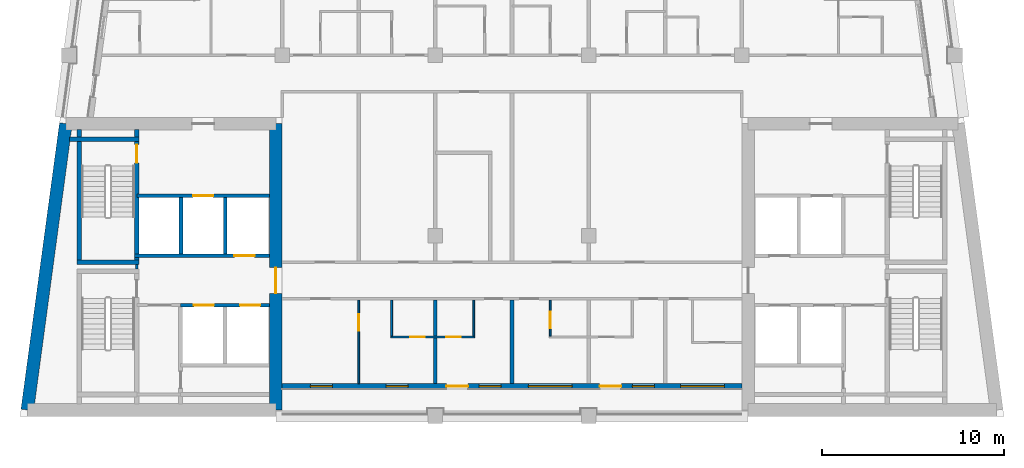
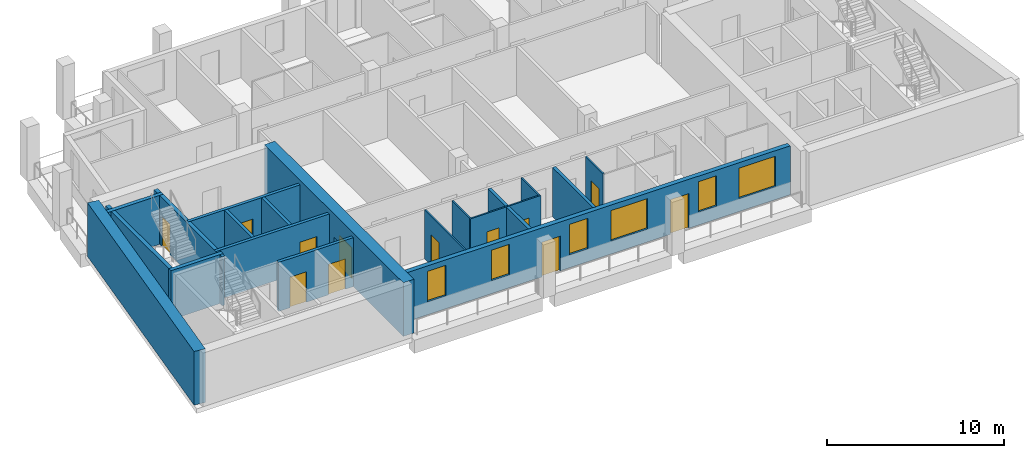
# One storey, part 2 of 9: 20 walls, 12 doors, 6 windows, 18 openings.
"""IFC4 building model written with IfcOpenShell, lengths in metres."""

from ifc_helpers import new_model, si_unit, direction, frame, frame_2d, origin, place, context, subcontext, project, spatial, rectangle, extrude, material, layer, layer_set, type_object, element, fill, save


model = new_model("IFC4")

# Units and contexts
model_context = context("Model", 3, precision=1e-05, world=origin(), true_north=direction((0.0, 1.0)))
body_context = subcontext(model_context, "Body", "Model", "MODEL_VIEW")
ifc_project = project(units=[si_unit("LENGTHUNIT", "METRE"), si_unit("AREAUNIT", "SQUARE_METRE"), si_unit("VOLUMEUNIT", "CUBIC_METRE"), si_unit("PLANEANGLEUNIT", "RADIAN"), si_unit("MASSUNIT", "GRAM", prefix="KILO")], contexts=[model_context])

# Site, building, storey
site_placement = place(None, origin())
site = spatial("IfcSite", under=ifc_project, at=site_placement, CompositionType="ELEMENT")
building_placement = place(site_placement, origin())
building = spatial("IfcBuilding", under=site, at=building_placement, Name="Candeia Pilgrim Tower and Theatre", CompositionType="ELEMENT")
storey_placement = place(building_placement, frame((0.0, 0.0, 296.0)))
storey = spatial("IfcBuildingStorey", under=building, at=storey_placement, Name="L72", CompositionType="ELEMENT", Elevation=296.0)

# Wall, opening, door
ifc_material_1 = material(Name="Concrete C40/50", Category="concrete")
ifc_layer_1 = layer(ifc_material_1, 0.699951171875)
ifc_layer_set_1 = layer_set([ifc_layer_1], Name="Core wall 700 C40/50")
wall_type_1 = type_object("IfcWallType", Name="Core wall 700 C40/50", PredefinedType="SHEAR", material=ifc_layer_set_1)
wall_1_placement = place(storey_placement, frame((100.449951171875, 132.050048828125, 0.0), z_axis=(0.0, 0.0, 1.0), x_axis=(0.0, -1.0, 0.0)))
wall_1 = element("IfcWall", 1, at=wall_1_placement, inside=storey, type_object=wall_type_1, Name="Core wall W2", PredefinedType="SHEAR", context=body_context, shape_type="SweptSolid", body=[
    extrude(rectangle(XDim=15.699951171875, YDim=0.699951171875, at=frame_2d((7.85009765625, 0.0))), origin(), (0.0, 0.0, 1.0), 3.699951171875),
])
opening_1_placement = place(wall_1_placement, frame((7.89990234375, 0.0, 0.0)))
opening_1 = element("IfcOpeningElement", 2, at=opening_1_placement, cuts=wall_1, Name="Opening L72-D045", PredefinedType="OPENING", context=body_context, shape_type="SweptSolid", body=[
    extrude(rectangle(XDim=1.39990234375, YDim=2.10009765625, at=frame_2d((0.699951171875, 1.050048828125))), frame((0.0, 0.35986328125, 0.0), z_axis=(0.0, -1.0, 0.0), x_axis=(1.0, 0.0, 0.0)), (0.0, 0.0, 1.0), 0.719970703125),
])
ifc_material_2 = material(Name="Steel fire door set", Category="steel")
door_type_1 = type_object("IfcDoorType", Name="D-1400-FD60", OperationType="NOTDEFINED", PredefinedType="DOOR", material=ifc_material_2)
door_1_placement = place(opening_1_placement, origin())
door_1 = element("IfcDoor", 3, at=door_1_placement, inside=storey, type_object=door_type_1, Name="Door L72-D045", OperationType="SINGLE_SWING_LEFT", OverallHeight=2.10009765625, OverallWidth=1.39990234375, PredefinedType="DOOR", context=body_context, shape_type="SweptSolid", body=[
    extrude(rectangle(XDim=1.39990234375, YDim=2.10009765625, at=frame_2d((0.699951171875, 1.050048828125))), frame((0.0, 0.02490234375, 0.0), z_axis=(0.0, -1.0, 0.0), x_axis=(1.0, 0.0, 0.0)), (0.0, 0.0, 1.0), 0.050048828125),
])
fill(opening_1, door_1)

# Wall
wall_2_placement = place(storey_placement, frame((86.8232421875, 116.35009765625, 0.0), z_axis=(0.0, 0.0, 1.0), x_axis=(0.133416378607, 0.99106007382, 0.0)))
element("IfcWall", 4, at=wall_2_placement, inside=storey, type_object=wall_type_1, Name="Core wall W4", PredefinedType="SHEAR", context=body_context, shape_type="SweptSolid", body=[
    extrude(rectangle(XDim=15.841552734375, YDim=0.699951171875, at=frame_2d((7.9208984375, 0.0))), origin(), (0.0, 0.0, 1.0), 3.699951171875),
])

# Wall, openings, doors, windows
ifc_material_3 = material(Name="Ceramic block masonry", Category="masonry")
ifc_layer_2 = layer(ifc_material_3, 0.300048828125)
ifc_layer_set_2 = layer_set([ifc_layer_2], Name="EW1 glazing-line wall 300")
wall_type_2 = type_object("IfcWallType", Name="EW1 glazing-line wall 300", PredefinedType="SOLIDWALL", material=ifc_layer_set_2)
wall_3_placement = place(storey_placement, frame((100.800048828125, 117.64990234375, 0.0), z_axis=(0.0, 0.0, 1.0), x_axis=(1.0, 0.0, 0.0)))
wall_3 = element("IfcWall", 5, at=wall_3_placement, inside=storey, type_object=wall_type_2, Name="External wall L72-1.0", PredefinedType="SOLIDWALL", context=body_context, shape_type="SweptSolid", body=[
    extrude(rectangle(XDim=25.199951171875, YDim=0.300048828125, at=frame_2d((12.60009765625, 0.0))), origin(), (0.0, 0.0, 1.0), 3.3798828125),
])
opening_2_placement = place(wall_3_placement, frame((1.550048828125, 0.0, 0.89990234375)))
opening_2 = element("IfcOpeningElement", 6, at=opening_2_placement, cuts=wall_3, Name="Opening W-B", PredefinedType="OPENING", context=body_context, shape_type="SweptSolid", body=[
    extrude(rectangle(XDim=1.199951171875, YDim=2.10009765625, at=frame_2d((0.60009765625, 1.050048828125))), frame((0.0, 0.16015625, 0.0), z_axis=(0.0, -1.0, 0.0), x_axis=(1.0, 0.0, 0.0)), (0.0, 0.0, 1.0), 0.320068359375),
])
opening_3_placement = place(wall_3_placement, frame((5.699951171875, 0.0, 0.89990234375)))
opening_3 = element("IfcOpeningElement", 7, at=opening_3_placement, cuts=wall_3, Name="Opening W-B", PredefinedType="OPENING", context=body_context, shape_type="SweptSolid", body=[
    extrude(rectangle(XDim=1.199951171875, YDim=2.10009765625, at=frame_2d((0.60009765625, 1.050048828125))), frame((0.0, 0.16015625, 0.0), z_axis=(0.0, -1.0, 0.0), x_axis=(1.0, 0.0, 0.0)), (0.0, 0.0, 1.0), 0.320068359375),
])
opening_4_placement = place(wall_3_placement, frame((9.0, 0.0, 0.0)))
opening_4 = element("IfcOpeningElement", 8, at=opening_4_placement, cuts=wall_3, Name="Opening L72-ED668", PredefinedType="OPENING", context=body_context, shape_type="SweptSolid", body=[
    extrude(rectangle(XDim=1.199951171875, YDim=2.39990234375, at=frame_2d((0.60009765625, 1.199951171875))), frame((0.0, 0.16015625, 0.0), z_axis=(0.0, -1.0, 0.0), x_axis=(1.0, 0.0, 0.0)), (0.0, 0.0, 1.0), 0.320068359375),
])
opening_5_placement = place(wall_3_placement, frame((10.800048828125, 0.0, 0.89990234375)))
opening_5 = element("IfcOpeningElement", 9, at=opening_5_placement, cuts=wall_3, Name="Opening W-B", PredefinedType="OPENING", context=body_context, shape_type="SweptSolid", body=[
    extrude(rectangle(XDim=1.199951171875, YDim=2.10009765625, at=frame_2d((0.60009765625, 1.050048828125))), frame((0.0, 0.16015625, 0.0), z_axis=(0.0, -1.0, 0.0), x_axis=(1.0, 0.0, 0.0)), (0.0, 0.0, 1.0), 0.320068359375),
])
opening_6_placement = place(wall_3_placement, frame((13.5, 0.0, 0.89990234375)))
opening_6 = element("IfcOpeningElement", 10, at=opening_6_placement, cuts=wall_3, Name="Opening W-A", PredefinedType="OPENING", context=body_context, shape_type="SweptSolid", body=[
    extrude(rectangle(XDim=2.39990234375, YDim=2.10009765625, at=frame_2d((1.199951171875, 1.050048828125))), frame((0.0, 0.16015625, 0.0), z_axis=(0.0, -1.0, 0.0), x_axis=(1.0, 0.0, 0.0)), (0.0, 0.0, 1.0), 0.320068359375),
])
opening_7_placement = place(wall_3_placement, frame((17.39990234375, 0.0, 0.0)))
opening_7 = element("IfcOpeningElement", 11, at=opening_7_placement, cuts=wall_3, Name="Opening L72-ED669", PredefinedType="OPENING", context=body_context, shape_type="SweptSolid", body=[
    extrude(rectangle(XDim=1.199951171875, YDim=2.39990234375, at=frame_2d((0.60009765625, 1.199951171875))), frame((0.0, 0.16015625, 0.0), z_axis=(0.0, -1.0, 0.0), x_axis=(1.0, 0.0, 0.0)), (0.0, 0.0, 1.0), 0.320068359375),
])
opening_8_placement = place(wall_3_placement, frame((19.199951171875, 0.0, 0.89990234375)))
opening_8 = element("IfcOpeningElement", 12, at=opening_8_placement, cuts=wall_3, Name="Opening W-B", PredefinedType="OPENING", context=body_context, shape_type="SweptSolid", body=[
    extrude(rectangle(XDim=1.199951171875, YDim=2.10009765625, at=frame_2d((0.60009765625, 1.050048828125))), frame((0.0, 0.16015625, 0.0), z_axis=(0.0, -1.0, 0.0), x_axis=(1.0, 0.0, 0.0)), (0.0, 0.0, 1.0), 0.320068359375),
])
opening_9_placement = place(wall_3_placement, frame((21.85009765625, 0.0, 0.89990234375)))
opening_9 = element("IfcOpeningElement", 13, at=opening_9_placement, cuts=wall_3, Name="Opening W-A", PredefinedType="OPENING", context=body_context, shape_type="SweptSolid", body=[
    extrude(rectangle(XDim=2.39990234375, YDim=2.10009765625, at=frame_2d((1.199951171875, 1.050048828125))), frame((0.0, 0.16015625, 0.0), z_axis=(0.0, -1.0, 0.0), x_axis=(1.0, 0.0, 0.0)), (0.0, 0.0, 1.0), 0.320068359375),
])
ifc_material_4 = material(Name="Aluminium framed glazed door", Category="aluminium")
door_type_2 = type_object("IfcDoorType", Name="Loggia door 1200x2400", OperationType="DOUBLE_DOOR_SINGLE_SWING", PredefinedType="DOOR", material=ifc_material_4)
door_2_placement = place(opening_4_placement, origin())
door_2 = element("IfcDoor", 14, at=door_2_placement, inside=storey, type_object=door_type_2, Name="Loggia door L72-ED668", OperationType="DOUBLE_DOOR_SINGLE_SWING", OverallHeight=2.39990234375, OverallWidth=1.199951171875, PredefinedType="DOOR", context=body_context, shape_type="SweptSolid", body=[
    extrude(rectangle(XDim=1.199951171875, YDim=2.39990234375, at=frame_2d((0.60009765625, 1.199951171875))), frame((0.0, 0.02490234375, 0.0), z_axis=(0.0, -1.0, 0.0), x_axis=(1.0, 0.0, 0.0)), (0.0, 0.0, 1.0), 0.050048828125),
])
fill(opening_4, door_2)
door_3_placement = place(opening_7_placement, origin())
door_3 = element("IfcDoor", 15, at=door_3_placement, inside=storey, type_object=door_type_2, Name="Loggia door L72-ED669", OperationType="DOUBLE_DOOR_SINGLE_SWING", OverallHeight=2.39990234375, OverallWidth=1.199951171875, PredefinedType="DOOR", context=body_context, shape_type="SweptSolid", body=[
    extrude(rectangle(XDim=1.199951171875, YDim=2.39990234375, at=frame_2d((0.60009765625, 1.199951171875))), frame((0.0, 0.02490234375, 0.0), z_axis=(0.0, -1.0, 0.0), x_axis=(1.0, 0.0, 0.0)), (0.0, 0.0, 1.0), 0.050048828125),
])
fill(opening_7, door_3)
ifc_material_5 = material(Name="Aluminium framed double glazing", Category="aluminium")
window_type_1 = type_object("IfcWindowType", Name="W-A window 2400x2100", PartitioningType="DOUBLE_PANEL_VERTICAL", PredefinedType="WINDOW", material=ifc_material_5)
window_1_placement = place(opening_6_placement, origin())
window_1 = element("IfcWindow", 16, at=window_1_placement, inside=storey, type_object=window_type_1, Name="Window W-A L72", OverallHeight=2.10009765625, OverallWidth=2.39990234375, PartitioningType="SINGLE_PANEL", PredefinedType="WINDOW", context=body_context, shape_type="SweptSolid", body=[
    extrude(rectangle(XDim=2.39990234375, YDim=2.10009765625, at=frame_2d((1.199951171875, 1.050048828125))), frame((0.0, 0.030029296875, 0.0), z_axis=(0.0, -1.0, 0.0), x_axis=(1.0, 0.0, 0.0)), (0.0, 0.0, 1.0), 0.06005859375),
])
fill(opening_6, window_1)
window_2_placement = place(opening_9_placement, origin())
window_2 = element("IfcWindow", 17, at=window_2_placement, inside=storey, type_object=window_type_1, Name="Window W-A L72", OverallHeight=2.10009765625, OverallWidth=2.39990234375, PartitioningType="SINGLE_PANEL", PredefinedType="WINDOW", context=body_context, shape_type="SweptSolid", body=[
    extrude(rectangle(XDim=2.39990234375, YDim=2.10009765625, at=frame_2d((1.199951171875, 1.050048828125))), frame((0.0, 0.030029296875, 0.0), z_axis=(0.0, -1.0, 0.0), x_axis=(1.0, 0.0, 0.0)), (0.0, 0.0, 1.0), 0.06005859375),
])
fill(opening_9, window_2)
window_type_2 = type_object("IfcWindowType", Name="W-B window 1200x2100", PartitioningType="SINGLE_PANEL", PredefinedType="WINDOW", material=ifc_material_5)
window_3_placement = place(opening_2_placement, origin())
window_3 = element("IfcWindow", 18, at=window_3_placement, inside=storey, type_object=window_type_2, Name="Window W-B L72", OverallHeight=2.10009765625, OverallWidth=1.199951171875, PartitioningType="SINGLE_PANEL", PredefinedType="WINDOW", context=body_context, shape_type="SweptSolid", body=[
    extrude(rectangle(XDim=1.199951171875, YDim=2.10009765625, at=frame_2d((0.60009765625, 1.050048828125))), frame((0.0, 0.030029296875, 0.0), z_axis=(0.0, -1.0, 0.0), x_axis=(1.0, 0.0, 0.0)), (0.0, 0.0, 1.0), 0.06005859375),
])
fill(opening_2, window_3)
window_4_placement = place(opening_3_placement, origin())
window_4 = element("IfcWindow", 19, at=window_4_placement, inside=storey, type_object=window_type_2, Name="Window W-B L72", OverallHeight=2.10009765625, OverallWidth=1.199951171875, PartitioningType="SINGLE_PANEL", PredefinedType="WINDOW", context=body_context, shape_type="SweptSolid", body=[
    extrude(rectangle(XDim=1.199951171875, YDim=2.10009765625, at=frame_2d((0.60009765625, 1.050048828125))), frame((0.0, 0.030029296875, 0.0), z_axis=(0.0, -1.0, 0.0), x_axis=(1.0, 0.0, 0.0)), (0.0, 0.0, 1.0), 0.06005859375),
])
fill(opening_3, window_4)
window_5_placement = place(opening_5_placement, origin())
window_5 = element("IfcWindow", 20, at=window_5_placement, inside=storey, type_object=window_type_2, Name="Window W-B L72", OverallHeight=2.10009765625, OverallWidth=1.199951171875, PartitioningType="SINGLE_PANEL", PredefinedType="WINDOW", context=body_context, shape_type="SweptSolid", body=[
    extrude(rectangle(XDim=1.199951171875, YDim=2.10009765625, at=frame_2d((0.60009765625, 1.050048828125))), frame((0.0, 0.030029296875, 0.0), z_axis=(0.0, -1.0, 0.0), x_axis=(1.0, 0.0, 0.0)), (0.0, 0.0, 1.0), 0.06005859375),
])
fill(opening_5, window_5)
window_6_placement = place(opening_8_placement, origin())
window_6 = element("IfcWindow", 21, at=window_6_placement, inside=storey, type_object=window_type_2, Name="Window W-B L72", OverallHeight=2.10009765625, OverallWidth=1.199951171875, PartitioningType="SINGLE_PANEL", PredefinedType="WINDOW", context=body_context, shape_type="SweptSolid", body=[
    extrude(rectangle(XDim=1.199951171875, YDim=2.10009765625, at=frame_2d((0.60009765625, 1.050048828125))), frame((0.0, 0.030029296875, 0.0), z_axis=(0.0, -1.0, 0.0), x_axis=(1.0, 0.0, 0.0)), (0.0, 0.0, 1.0), 0.06005859375),
])
fill(opening_8, window_6)

# Wall, openings, doors
ifc_material_6 = material(Name="Gypsum board partition on steel studs", Category="steel")
ifc_layer_3 = layer(ifc_material_6, 0.10009765625)
ifc_layer_set_3 = layer_set([ifc_layer_3], Name="PW-100 room partition")
wall_type_3 = type_object("IfcWallType", Name="PW-100 room partition", PredefinedType="PARTITIONING", material=ifc_layer_set_3)
wall_4_placement = place(storey_placement, frame((106.75, 120.35009765625, 0.0), z_axis=(0.0, 0.0, 1.0), x_axis=(1.0, 0.0, 0.0)))
wall_4 = element("IfcWall", 22, at=wall_4_placement, inside=storey, type_object=wall_type_3, Name="Room partition L72-010", PredefinedType="PARTITIONING", context=body_context, shape_type="SweptSolid", body=[
    extrude(rectangle(XDim=4.60009765625, YDim=0.10009765625, at=frame_2d((2.300048828125, 0.0))), origin(), (0.0, 0.0, 1.0), 3.3798828125),
])
opening_10_placement = place(wall_4_placement, frame((1.074951171875, 0.0, 0.0)))
opening_10 = element("IfcOpeningElement", 23, at=opening_10_placement, cuts=wall_4, Name="Opening L72-D011", PredefinedType="OPENING", context=body_context, shape_type="SweptSolid", body=[
    extrude(rectangle(XDim=0.800048828125, YDim=2.10009765625, at=frame_2d((0.39990234375, 1.050048828125))), frame((0.0, 0.06005859375, 0.0), z_axis=(0.0, -1.0, 0.0), x_axis=(1.0, 0.0, 0.0)), (0.0, 0.0, 1.0), 0.1201171875),
])
opening_11_placement = place(wall_4_placement, frame((3.0400390625, 0.0, 0.0)))
opening_11 = element("IfcOpeningElement", 24, at=opening_11_placement, cuts=wall_4, Name="Opening L72-D013", PredefinedType="OPENING", context=body_context, shape_type="SweptSolid", body=[
    extrude(rectangle(XDim=0.800048828125, YDim=2.10009765625, at=frame_2d((0.39990234375, 1.050048828125))), frame((0.0, 0.06005859375, 0.0), z_axis=(0.0, -1.0, 0.0), x_axis=(1.0, 0.0, 0.0)), (0.0, 0.0, 1.0), 0.1201171875),
])
ifc_material_7 = material(Name="Timber door leaf", Category="wood")
door_type_3 = type_object("IfcDoorType", Name="D-800", OperationType="NOTDEFINED", PredefinedType="DOOR", material=ifc_material_7)
door_4_placement = place(opening_10_placement, origin())
door_4 = element("IfcDoor", 25, at=door_4_placement, inside=storey, type_object=door_type_3, Name="Door L72-D011", OperationType="SINGLE_SWING_LEFT", OverallHeight=2.10009765625, OverallWidth=0.800048828125, PredefinedType="DOOR", context=body_context, shape_type="SweptSolid", body=[
    extrude(rectangle(XDim=0.800048828125, YDim=2.10009765625, at=frame_2d((0.39990234375, 1.050048828125))), frame((0.0, 0.02490234375, 0.0), z_axis=(0.0, -1.0, 0.0), x_axis=(1.0, 0.0, 0.0)), (0.0, 0.0, 1.0), 0.050048828125),
])
fill(opening_10, door_4)
door_5_placement = place(opening_11_placement, origin())
door_5 = element("IfcDoor", 26, at=door_5_placement, inside=storey, type_object=door_type_3, Name="Door L72-D013", OperationType="SINGLE_SWING_LEFT", OverallHeight=2.10009765625, OverallWidth=0.800048828125, PredefinedType="DOOR", context=body_context, shape_type="SweptSolid", body=[
    extrude(rectangle(XDim=0.800048828125, YDim=2.10009765625, at=frame_2d((0.39990234375, 1.050048828125))), frame((0.0, 0.02490234375, 0.0), z_axis=(0.0, -1.0, 0.0), x_axis=(1.0, 0.0, 0.0)), (0.0, 0.0, 1.0), 0.050048828125),
])
fill(opening_11, door_5)

# Wall, opening, door
wall_5_placement = place(storey_placement, frame((105.0, 117.7900390625, 0.0), z_axis=(0.0, 0.0, 1.0), x_axis=(0.0, 1.0, 0.0)))
wall_5 = element("IfcWall", 27, at=wall_5_placement, inside=storey, type_object=wall_type_3, Name="Room partition L72-054", PredefinedType="PARTITIONING", context=body_context, shape_type="SweptSolid", body=[
    extrude(rectangle(XDim=4.5849609375, YDim=0.10009765625, at=frame_2d((2.29248046875, 0.0))), origin(), (0.0, 0.0, 1.0), 3.3798828125),
])
opening_12_placement = place(wall_5_placement, frame((2.907958984375, 0.0, 0.0)))
opening_12 = element("IfcOpeningElement", 28, at=opening_12_placement, cuts=wall_5, Name="Opening L72-D010", PredefinedType="OPENING", context=body_context, shape_type="SweptSolid", body=[
    extrude(rectangle(XDim=0.89990234375, YDim=2.10009765625, at=frame_2d((0.449951171875, 1.050048828125))), frame((0.0, 0.06005859375, 0.0), z_axis=(0.0, -1.0, 0.0), x_axis=(1.0, 0.0, 0.0)), (0.0, 0.0, 1.0), 0.1201171875),
])
door_type_4 = type_object("IfcDoorType", Name="D-900", OperationType="NOTDEFINED", PredefinedType="DOOR", material=ifc_material_7)
door_6_placement = place(opening_12_placement, origin())
door_6 = element("IfcDoor", 29, at=door_6_placement, inside=storey, type_object=door_type_4, Name="Door L72-D010", OperationType="SINGLE_SWING_RIGHT", OverallHeight=2.10009765625, OverallWidth=0.89990234375, PredefinedType="DOOR", context=body_context, shape_type="SweptSolid", body=[
    extrude(rectangle(XDim=0.89990234375, YDim=2.10009765625, at=frame_2d((0.449951171875, 1.050048828125))), frame((0.0, 0.02490234375, 0.0), z_axis=(0.0, -1.0, 0.0), x_axis=(1.0, 0.0, 0.0)), (0.0, 0.0, 1.0), 0.050048828125),
])
fill(opening_12, door_6)

# Walls
for number, where, z_axis, x_axis, name in (
    (30, (106.800048828125, 120.39990234375, 0.0), (0.0, 0.0, 1.0), (0.0, 1.0, 0.0), "Room partition L72-057"),
    (31, (111.300048828125, 120.39990234375, 0.0), (0.0, 0.0, 1.0), (0.0, 1.0, 0.0), "Room partition L72-062"),
):
    element("IfcWall", number, at=place(storey_placement, frame(where, z_axis=z_axis, x_axis=x_axis)), inside=storey, type_object=wall_type_3, Name=name, PredefinedType="PARTITIONING", context=body_context, shape_type="SweptSolid", body=[
        extrude(rectangle(XDim=1.97509765625, YDim=0.10009765625, at=frame_2d((0.987548828125, 0.0))), origin(), (0.0, 0.0, 1.0), 3.3798828125),
    ])

# Wall, opening, door
wall_6_placement = place(storey_placement, frame((115.5, 120.39990234375, 0.0), z_axis=(0.0, 0.0, 1.0), x_axis=(0.0, 1.0, 0.0)))
wall_6 = element("IfcWall", 32, at=wall_6_placement, inside=storey, type_object=wall_type_3, Name="Room partition L72-068", PredefinedType="PARTITIONING", context=body_context, shape_type="SweptSolid", body=[
    extrude(rectangle(XDim=1.97509765625, YDim=0.10009765625, at=frame_2d((0.987548828125, 0.0))), origin(), (0.0, 0.0, 1.0), 3.3798828125),
])
opening_13_placement = place(wall_6_placement, frame((0.425048828125, 0.0, 0.0)))
opening_13 = element("IfcOpeningElement", 33, at=opening_13_placement, cuts=wall_6, Name="Opening L72-D015", PredefinedType="OPENING", context=body_context, shape_type="SweptSolid", body=[
    extrude(rectangle(XDim=0.89990234375, YDim=2.10009765625, at=frame_2d((0.449951171875, 1.050048828125))), frame((0.0, 0.06005859375, 0.0), z_axis=(0.0, -1.0, 0.0), x_axis=(1.0, 0.0, 0.0)), (0.0, 0.0, 1.0), 0.1201171875),
])
door_7_placement = place(opening_13_placement, origin())
door_7 = element("IfcDoor", 34, at=door_7_placement, inside=storey, type_object=door_type_4, Name="Door L72-D015", OperationType="SINGLE_SWING_LEFT", OverallHeight=2.10009765625, OverallWidth=0.89990234375, PredefinedType="DOOR", context=body_context, shape_type="SweptSolid", body=[
    extrude(rectangle(XDim=0.89990234375, YDim=2.10009765625, at=frame_2d((0.449951171875, 1.050048828125))), frame((0.0, 0.02490234375, 0.0), z_axis=(0.0, -1.0, 0.0), x_axis=(1.0, 0.0, 0.0)), (0.0, 0.0, 1.0), 0.050048828125),
])
fill(opening_13, door_7)

# Walls
ifc_layer_4 = layer(ifc_material_6, 0.14990234375)
ifc_layer_set_4 = layer_set([ifc_layer_4], Name="PW-150 lobby wall")
wall_type_4 = type_object("IfcWallType", Name="PW-150 lobby wall", PredefinedType="PARTITIONING", material=ifc_layer_set_4)
wall_7_placement = place(storey_placement, frame((92.826904296875, 124.074951171875, 0.0), z_axis=(0.0, 0.0, 1.0), x_axis=(0.0, 1.0, 0.0)))
element("IfcWall", 35, at=wall_7_placement, inside=storey, type_object=wall_type_4, Name="Lobby wall L72-042", PredefinedType="PARTITIONING", context=body_context, shape_type="SweptSolid", body=[
    extrude(rectangle(XDim=0.25, YDim=0.14990234375, at=frame_2d((0.125, 0.0))), origin(), (0.0, 0.0, 1.0), 3.3798828125),
])
ifc_layer_5 = layer(ifc_material_6, 0.199951171875)
ifc_layer_set_5 = layer_set([ifc_layer_5], Name="PW-200 party wall")
wall_type_5 = type_object("IfcWallType", Name="PW-200 party wall", PredefinedType="PARTITIONING", material=ifc_layer_set_5)
for number, where, z_axis, x_axis, name in (
    (36, (109.199951171875, 117.7900390625, 0.0), (0.0, 0.0, 1.0), (0.0, 1.0, 0.0), "Party wall L72-059"),
    (37, (113.39990234375, 117.7900390625, 0.0), (0.0, 0.0, 1.0), (0.0, 1.0, 0.0), "Party wall L72-065"),
):
    element("IfcWall", number, at=place(storey_placement, frame(where, z_axis=z_axis, x_axis=x_axis)), inside=storey, type_object=wall_type_5, Name=name, PredefinedType="PARTITIONING", context=body_context, shape_type="SweptSolid", body=[
        extrude(rectangle(XDim=4.5849609375, YDim=0.199951171875, at=frame_2d((2.29248046875, 0.0))), origin(), (0.0, 0.0, 1.0), 3.3798828125),
    ])

# Wall, openings, doors
ifc_layer_6 = layer(ifc_material_1, 0.199951171875)
ifc_layer_set_6 = layer_set([ifc_layer_6], Name="SW-200 shaft wall")
wall_type_6 = type_object("IfcWallType", Name="SW-200 shaft wall", PredefinedType="PARTITIONING", material=ifc_layer_set_6)
wall_8_placement = place(storey_placement, frame((95.22705078125, 122.10009765625, 0.0), z_axis=(0.0, 0.0, 1.0), x_axis=(1.0, 0.0, 0.0)))
wall_8 = element("IfcWall", 38, at=wall_8_placement, inside=storey, type_object=wall_type_6, Name="Shaft wall L72-012", PredefinedType="PARTITIONING", context=body_context, shape_type="SweptSolid", body=[
    extrude(rectangle(XDim=4.873046875, YDim=0.199951171875, at=frame_2d((2.4365234375, 0.0))), origin(), (0.0, 0.0, 1.0), 3.3798828125),
])
opening_14_placement = place(wall_8_placement, frame((0.73193359375, 0.0, 0.0)))
opening_14 = element("IfcOpeningElement", 39, at=opening_14_placement, cuts=wall_8, Name="Opening L72-LD01", PredefinedType="OPENING", context=body_context, shape_type="SweptSolid", body=[
    extrude(rectangle(XDim=1.10009765625, YDim=2.10009765625, at=frame_2d((0.550048828125, 1.050048828125))), frame((0.0, 0.10986328125, 0.0), z_axis=(0.0, -1.0, 0.0), x_axis=(1.0, 0.0, 0.0)), (0.0, 0.0, 1.0), 0.219970703125),
])
opening_15_placement = place(wall_8_placement, frame((3.263916015625, 0.0, 0.0)))
opening_15 = element("IfcOpeningElement", 40, at=opening_15_placement, cuts=wall_8, Name="Opening L72-LD02", PredefinedType="OPENING", context=body_context, shape_type="SweptSolid", body=[
    extrude(rectangle(XDim=1.10009765625, YDim=2.10009765625, at=frame_2d((0.550048828125, 1.050048828125))), frame((0.0, 0.10986328125, 0.0), z_axis=(0.0, -1.0, 0.0), x_axis=(1.0, 0.0, 0.0)), (0.0, 0.0, 1.0), 0.219970703125),
])
ifc_material_8 = material(Name="Glazed aluminium landing door", Category="aluminium")
door_type_5 = type_object("IfcDoorType", Name="LD-1100-EI120", OperationType="SLIDING_TO_LEFT", PredefinedType="DOOR", material=ifc_material_8)
door_8_placement = place(opening_14_placement, origin())
door_8 = element("IfcDoor", 41, at=door_8_placement, inside=storey, type_object=door_type_5, Name="Landing door 01 L72", OperationType="SLIDING_TO_LEFT", OverallHeight=2.10009765625, OverallWidth=1.10009765625, PredefinedType="DOOR", context=body_context, shape_type="SweptSolid", body=[
    extrude(rectangle(XDim=1.10009765625, YDim=2.10009765625, at=frame_2d((0.550048828125, 1.050048828125))), frame((0.0, 0.02490234375, 0.0), z_axis=(0.0, -1.0, 0.0), x_axis=(1.0, 0.0, 0.0)), (0.0, 0.0, 1.0), 0.050048828125),
])
fill(opening_14, door_8)
door_9_placement = place(opening_15_placement, origin())
door_9 = element("IfcDoor", 42, at=door_9_placement, inside=storey, type_object=door_type_5, Name="Landing door 02 L72", OperationType="SLIDING_TO_LEFT", OverallHeight=2.10009765625, OverallWidth=1.10009765625, PredefinedType="DOOR", context=body_context, shape_type="SweptSolid", body=[
    extrude(rectangle(XDim=1.10009765625, YDim=2.10009765625, at=frame_2d((0.550048828125, 1.050048828125))), frame((0.0, 0.02490234375, 0.0), z_axis=(0.0, -1.0, 0.0), x_axis=(1.0, 0.0, 0.0)), (0.0, 0.0, 1.0), 0.050048828125),
])
fill(opening_15, door_9)

# Wall, opening, door
wall_9_placement = place(storey_placement, frame((92.701904296875, 124.800048828125, 0.0), z_axis=(0.0, 0.0, 1.0), x_axis=(1.0, 0.0, 0.0)))
wall_9 = element("IfcWall", 43, at=wall_9_placement, inside=storey, type_object=wall_type_6, Name="Shaft wall L72-022", PredefinedType="PARTITIONING", context=body_context, shape_type="SweptSolid", body=[
    extrude(rectangle(XDim=7.398193359375, YDim=0.199951171875, at=frame_2d((3.69921875, 0.0))), origin(), (0.0, 0.0, 1.0), 3.3798828125),
])
opening_16_placement = place(wall_9_placement, frame((5.47998046875, 0.0, 0.0)))
opening_16 = element("IfcOpeningElement", 44, at=opening_16_placement, cuts=wall_9, Name="Opening L72-LD04", PredefinedType="OPENING", context=body_context, shape_type="SweptSolid", body=[
    extrude(rectangle(XDim=1.10009765625, YDim=2.10009765625, at=frame_2d((0.550048828125, 1.050048828125))), frame((0.0, 0.10986328125, 0.0), z_axis=(0.0, -1.0, 0.0), x_axis=(1.0, 0.0, 0.0)), (0.0, 0.0, 1.0), 0.219970703125),
])
door_10_placement = place(opening_16_placement, origin())
door_10 = element("IfcDoor", 45, at=door_10_placement, inside=storey, type_object=door_type_5, Name="Landing door 04 L72", OperationType="SLIDING_TO_LEFT", OverallHeight=2.10009765625, OverallWidth=1.10009765625, PredefinedType="DOOR", context=body_context, shape_type="SweptSolid", body=[
    extrude(rectangle(XDim=1.10009765625, YDim=2.10009765625, at=frame_2d((0.550048828125, 1.050048828125))), frame((0.0, 0.02490234375, 0.0), z_axis=(0.0, -1.0, 0.0), x_axis=(1.0, 0.0, 0.0)), (0.0, 0.0, 1.0), 0.050048828125),
])
fill(opening_16, door_10)

wall_10_placement = place(storey_placement, frame((92.826904296875, 128.10009765625, 0.0), z_axis=(0.0, 0.0, 1.0), x_axis=(1.0, 0.0, 0.0)))
wall_10 = element("IfcWall", 46, at=wall_10_placement, inside=storey, type_object=wall_type_6, Name="Shaft wall L72-025", PredefinedType="PARTITIONING", context=body_context, shape_type="SweptSolid", body=[
    extrude(rectangle(XDim=7.273193359375, YDim=0.199951171875, at=frame_2d((3.63671875, 0.0))), origin(), (0.0, 0.0, 1.0), 3.3798828125),
])
opening_17_placement = place(wall_10_placement, frame((3.0859375, 0.0, 0.0)))
opening_17 = element("IfcOpeningElement", 47, at=opening_17_placement, cuts=wall_10, Name="Opening L72-LD03", PredefinedType="OPENING", context=body_context, shape_type="SweptSolid", body=[
    extrude(rectangle(XDim=1.10009765625, YDim=2.10009765625, at=frame_2d((0.550048828125, 1.050048828125))), frame((0.0, 0.10986328125, 0.0), z_axis=(0.0, -1.0, 0.0), x_axis=(1.0, 0.0, 0.0)), (0.0, 0.0, 1.0), 0.219970703125),
])
door_11_placement = place(opening_17_placement, origin())
door_11 = element("IfcDoor", 48, at=door_11_placement, inside=storey, type_object=door_type_5, Name="Landing door 03 L72", OperationType="SLIDING_TO_LEFT", OverallHeight=2.10009765625, OverallWidth=1.10009765625, PredefinedType="DOOR", context=body_context, shape_type="SweptSolid", body=[
    extrude(rectangle(XDim=1.10009765625, YDim=2.10009765625, at=frame_2d((0.550048828125, 1.050048828125))), frame((0.0, 0.02490234375, 0.0), z_axis=(0.0, -1.0, 0.0), x_axis=(1.0, 0.0, 0.0)), (0.0, 0.0, 1.0), 0.050048828125),
])
fill(opening_17, door_11)

# Walls
for number, where, z_axis, x_axis, name in (
    (49, (95.251220703125, 124.89990234375, 0.0), (0.0, 0.0, 1.0), (0.0, 1.0, 0.0), "Shaft wall L72-047"),
    (50, (97.67578125, 124.89990234375, 0.0), (0.0, 0.0, 1.0), (0.0, 1.0, 0.0), "Shaft wall L72-050"),
):
    element("IfcWall", number, at=place(storey_placement, frame(where, z_axis=z_axis, x_axis=x_axis)), inside=storey, type_object=wall_type_6, Name=name, PredefinedType="PARTITIONING", context=body_context, shape_type="SweptSolid", body=[
        extrude(rectangle(XDim=3.10009765625, YDim=0.199951171875, at=frame_2d((1.550048828125, 0.0))), origin(), (0.0, 0.0, 1.0), 3.3798828125),
    ])
ifc_layer_7 = layer(ifc_material_1, 0.25)
ifc_layer_set_7 = layer_set([ifc_layer_7], Name="SW-250 stair wall")
wall_type_7 = type_object("IfcWallType", Name="SW-250 stair wall", PredefinedType="PARTITIONING", material=ifc_layer_set_7)
wall_11_placement = place(storey_placement, frame((89.552001953125, 124.449951171875, 0.0), z_axis=(0.0, 0.0, 1.0), x_axis=(1.0, 0.0, 0.0)))
element("IfcWall", 51, at=wall_11_placement, inside=storey, type_object=wall_type_7, Name="Stair wall L72-019", PredefinedType="PARTITIONING", context=body_context, shape_type="SweptSolid", body=[
    extrude(rectangle(XDim=3.39990234375, YDim=0.25, at=frame_2d((1.699951171875, 0.0))), origin(), (0.0, 0.0, 1.0), 3.3798828125),
])
wall_12_placement = place(storey_placement, frame((89.1455078125, 131.199951171875, 0.0), z_axis=(0.0, 0.0, 1.0), x_axis=(1.0, 0.0, 0.0)))
element("IfcWall", 52, at=wall_12_placement, inside=storey, type_object=wall_type_7, Name="Stair wall L72-029", PredefinedType="PARTITIONING", context=body_context, shape_type="SweptSolid", body=[
    extrude(rectangle(XDim=3.806396484375, YDim=0.25, at=frame_2d((1.9033203125, 0.0))), origin(), (0.0, 0.0, 1.0), 3.3798828125),
])
wall_13_placement = place(storey_placement, frame((89.677001953125, 124.574951171875, 0.0), z_axis=(0.0, 0.0, 1.0), x_axis=(0.0, 1.0, 0.0)))
element("IfcWall", 53, at=wall_13_placement, inside=storey, type_object=wall_type_7, Name="Stair wall L72-041", PredefinedType="PARTITIONING", context=body_context, shape_type="SweptSolid", body=[
    extrude(rectangle(XDim=7.155029296875, YDim=0.25, at=frame_2d((3.57763671875, 0.0))), origin(), (0.0, 0.0, 1.0), 3.3798828125),
])

# Wall, opening, door
wall_14_placement = place(storey_placement, frame((92.826904296875, 124.574951171875, 0.0), z_axis=(0.0, 0.0, 1.0), x_axis=(0.0, 1.0, 0.0)))
wall_14 = element("IfcWall", 54, at=wall_14_placement, inside=storey, type_object=wall_type_7, Name="Stair wall L72-044", PredefinedType="PARTITIONING", context=body_context, shape_type="SweptSolid", body=[
    extrude(rectangle(XDim=7.155029296875, YDim=0.25, at=frame_2d((3.57763671875, 0.0))), origin(), (0.0, 0.0, 1.0), 3.3798828125),
])
opening_18_placement = place(wall_14_placement, frame((5.324951171875, 0.0, 0.0)))
opening_18 = element("IfcOpeningElement", 55, at=opening_18_placement, cuts=wall_14, Name="Opening L72-D003", PredefinedType="OPENING", context=body_context, shape_type="SweptSolid", body=[
    extrude(rectangle(XDim=1.0, YDim=2.10009765625, at=frame_2d((0.5, 1.050048828125))), frame((0.0, 0.135009765625, 0.0), z_axis=(0.0, -1.0, 0.0), x_axis=(1.0, 0.0, 0.0)), (0.0, 0.0, 1.0), 0.27001953125),
])
door_type_6 = type_object("IfcDoorType", Name="D-1000-FD60", OperationType="NOTDEFINED", PredefinedType="DOOR", material=ifc_material_2)
door_12_placement = place(opening_18_placement, origin())
door_12 = element("IfcDoor", 56, at=door_12_placement, inside=storey, type_object=door_type_6, Name="Door L72-D003", OperationType="SINGLE_SWING_LEFT", OverallHeight=2.10009765625, OverallWidth=1.0, PredefinedType="DOOR", context=body_context, shape_type="SweptSolid", body=[
    extrude(rectangle(XDim=1.0, YDim=2.10009765625, at=frame_2d((0.5, 1.050048828125))), frame((0.0, 0.02490234375, 0.0), z_axis=(0.0, -1.0, 0.0), x_axis=(1.0, 0.0, 0.0)), (0.0, 0.0, 1.0), 0.050048828125),
])
fill(opening_18, door_12)

save(model, "model.ifc")
